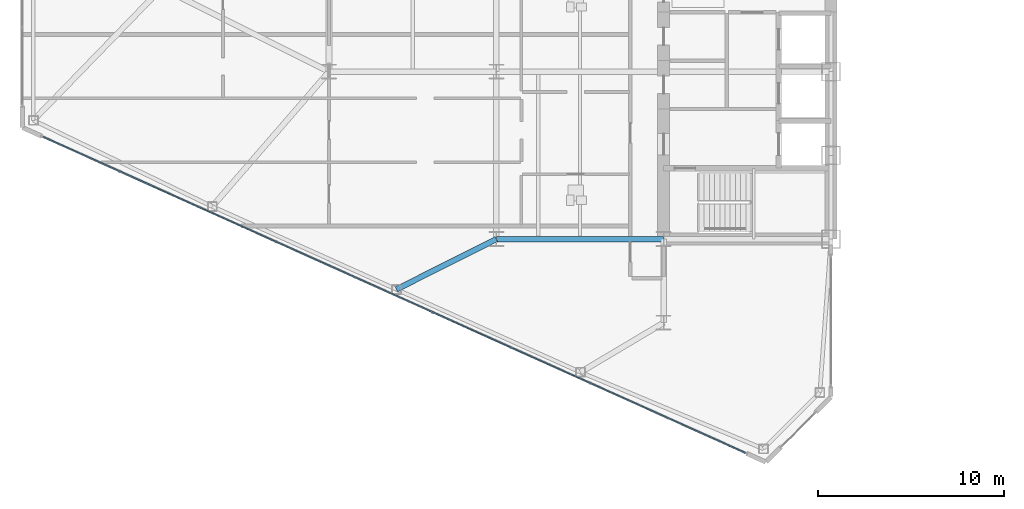
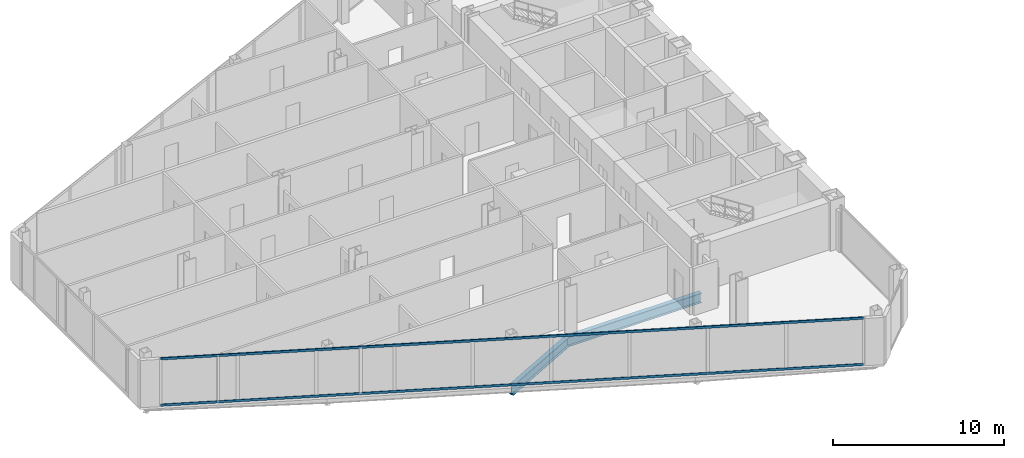
# One storey, part 4 of 27: 2 beams, 2 members, 1 element without a shape of its own.
"""IFC4 building model written with IfcOpenShell, lengths in metres."""

from ifc_helpers import new_model, si_unit, direction, frame, origin, origin_2d, place, context, subcontext, project, spatial, rectangle, i_section, extrude, source, transform, mapped, material, layer, layer_set, material_profile, profile_set, type_object, type_shapes, element, aggregate, save


model = new_model("IFC4")

# Units and contexts
model_context = context("Model", 3, precision=1e-05, world=origin(), true_north=direction((0.0, 1.0)))
body_context = subcontext(model_context, "Body", "Model", "MODEL_VIEW")
ifc_project = project(units=[si_unit("LENGTHUNIT", "METRE"), si_unit("AREAUNIT", "SQUARE_METRE"), si_unit("VOLUMEUNIT", "CUBIC_METRE"), si_unit("PLANEANGLEUNIT", "RADIAN"), si_unit("MASSUNIT", "GRAM", prefix="KILO")], contexts=[model_context])

# Site, building, storey
site_placement = place(None, origin())
site = spatial("IfcSite", under=ifc_project, at=site_placement, CompositionType="ELEMENT")
building_placement = place(site_placement, origin())
building = spatial("IfcBuilding", under=site, at=building_placement, Name="Seokmaru Belvedere", CompositionType="ELEMENT")
storey_placement = place(building_placement, frame((0.0, 0.0, 92.39990234375)))
storey = spatial("IfcBuildingStorey", under=building, at=storey_placement, Name="L24", CompositionType="ELEMENT", Elevation=92.39990234375)

# Beams
ifc_material_1 = material(Name="Steel SM355 (355 MPa)", Category="steel")
ifc_material_profile_1 = material_profile(ifc_material_1, i_section(OverallWidth=0.300048828125, OverallDepth=0.699951171875, WebThickness=0.012939453125, FlangeThickness=0.02392578125, at=origin_2d()), Name="H-700x300x13x24")
ifc_profile_set_1 = profile_set([ifc_material_profile_1], Name="Steel SM355 (355 MPa)")
beam_type = type_object("IfcBeamType", Name="Primary Floor Girder H-700", PredefinedType="BEAM", material=ifc_profile_set_1)
shared_shape_1 = source(origin(), body_context, "Body", "SweptSolid", [
    extrude(i_section(OverallWidth=0.300048828125, OverallDepth=0.699951171875, WebThickness=0.012939453125, FlangeThickness=0.02392578125, at=origin_2d()), origin(), (0.0, 0.0, 1.0), 9.0),
])
beam_1_placement = place(storey_placement, frame((-45.5, -13.5, -0.56982421875), z_axis=(1.0, 0.0, 0.0), x_axis=(0.0, 1.0, 0.0)))
element("IfcBeam", 1, at=beam_1_placement, inside=storey, type_object=beam_type, Name="L24 W Wing Primary Girder 1", PredefinedType="BEAM", context=body_context, shape_type="MappedRepresentation", body=[
    mapped(shared_shape_1, transform((0.0, 0.0, 0.0), scale=1.0)),
])
shared_shape_2 = source(origin(), body_context, "Body", "SweptSolid", [
    extrude(i_section(OverallWidth=0.300048828125, OverallDepth=0.699951171875, WebThickness=0.012939453125, FlangeThickness=0.02392578125, at=origin_2d()), origin(), (0.0, 0.0, 1.0), 6.017333984375),
])
type_shapes(beam_type, [shared_shape_1, shared_shape_2])
beam_2_placement = place(storey_placement, frame((-50.875, -16.205322265625, -0.56982421875), z_axis=(0.893239341975, 0.449581447512, 0.0), x_axis=(-0.449581447512, 0.893239341975, 0.0)))
element("IfcBeam", 2, at=beam_2_placement, inside=storey, type_object=beam_type, Name="L24 W Flank Radial Floor Girder S-2", PredefinedType="BEAM", context=body_context, shape_type="MappedRepresentation", body=[
    mapped(shared_shape_2, transform((0.0, 0.0, 0.0), scale=1.0)),
])

# Curtain wall, members
ifc_material_2 = material(Name="Bronze Triple Insulating Glass", Category="glass")
ifc_layer = layer(ifc_material_2, 0.195068359375)
ifc_layer_set = layer_set([ifc_layer], Name="Bronze Triple Insulating Glass")
curtain_wall_type = type_object("IfcCurtainWallType", Name="Lower-Mid Tapered Curtain Wall System CW-3", PredefinedType="NOTDEFINED", material=ifc_layer_set)
curtain_wall_placement = place(storey_placement, origin())
curtain_wall = element("IfcCurtainWall", 3, at=curtain_wall_placement, inside=storey, type_object=curtain_wall_type, Name="L24 Curtain Wall WF5", PredefinedType="NOTDEFINED")
ifc_material_3 = material(Name="Anodised Bronze Aluminium", Category="aluminium")
ifc_material_profile_2 = material_profile(ifc_material_3, rectangle(XDim=0.070068359375, YDim=0.1650390625, at=origin_2d()), Name="CW-T-70x165")
ifc_profile_set_2 = profile_set([ifc_material_profile_2], Name="Anodised Bronze Aluminium")
member_type = type_object("IfcMemberType", Name="Bronze Unitised Transom 70x165", PredefinedType="USERDEFINED", material=ifc_profile_set_2)
shared_shape_3 = source(origin(), body_context, "Body", "SweptSolid", [
    extrude(rectangle(XDim=0.070068359375, YDim=0.1650390625, at=origin_2d()), origin(), (0.0, 0.0, 1.0), 41.423583984375),
])
type_shapes(member_type, [shared_shape_3])
member_1_placement = place(storey_placement, frame((-69.887451171875, -8.00048828125, 0.03515625), z_axis=(0.911918637916, -0.410371048956, 0.0), x_axis=(0.410371048956, 0.911918637916, 0.0)))
member_1 = element("IfcMember", 4, at=member_1_placement, type_object=member_type, Name="CW:L24:WF5 Continuous Transom 1", ObjectType="TRANSOM", PredefinedType="USERDEFINED", context=body_context, shape_type="MappedRepresentation", body=[
    mapped(shared_shape_3, transform((0.0, 0.0, 0.0), scale=1.0)),
])
member_2_placement = place(storey_placement, frame((-69.887451171875, -8.00048828125, 3.34521484375), z_axis=(0.911918637916, -0.410371048956, 0.0), x_axis=(0.410371048956, 0.911918637916, 0.0)))
member_2 = element("IfcMember", 5, at=member_2_placement, type_object=member_type, Name="CW:L24:WF5 Continuous Transom 2", ObjectType="TRANSOM", PredefinedType="USERDEFINED", context=body_context, shape_type="MappedRepresentation", body=[
    mapped(shared_shape_3, transform((0.0, 0.0, 0.0), scale=1.0)),
])
aggregate(curtain_wall, [member_1, member_2])

save(model, "model.ifc")
